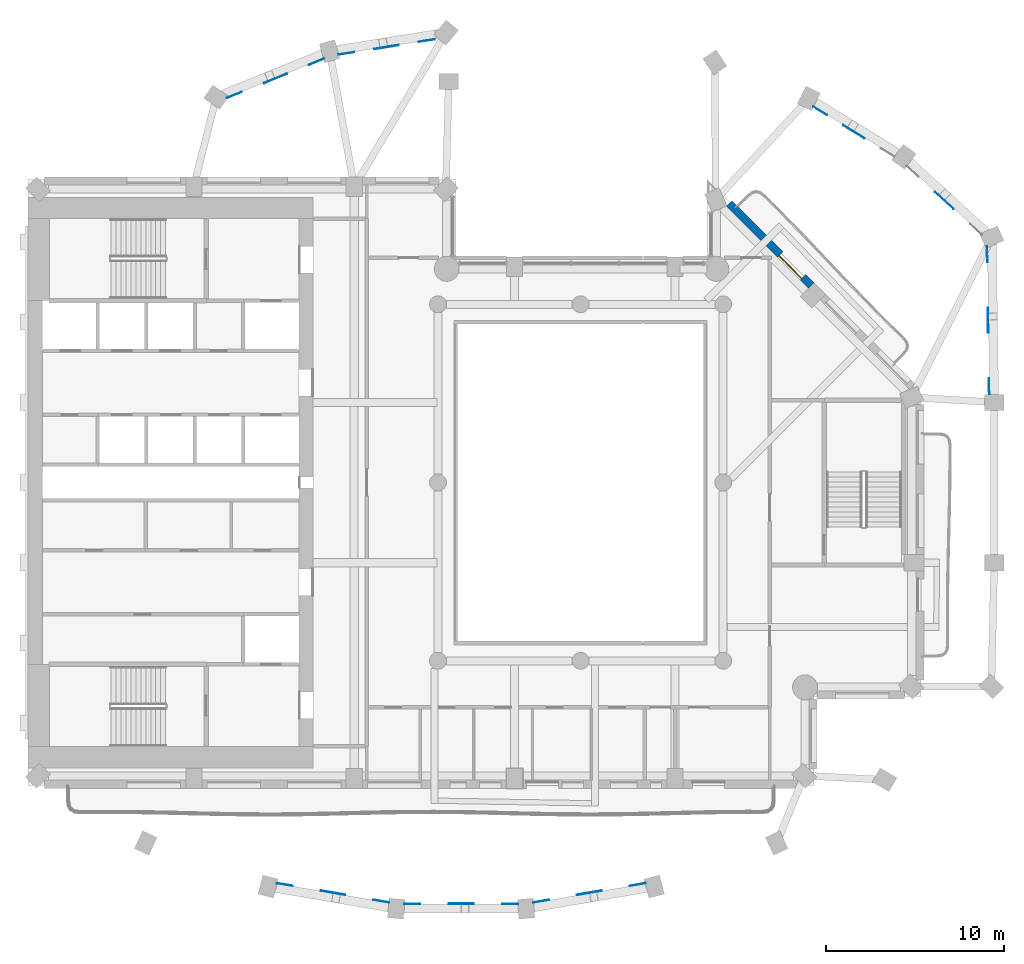
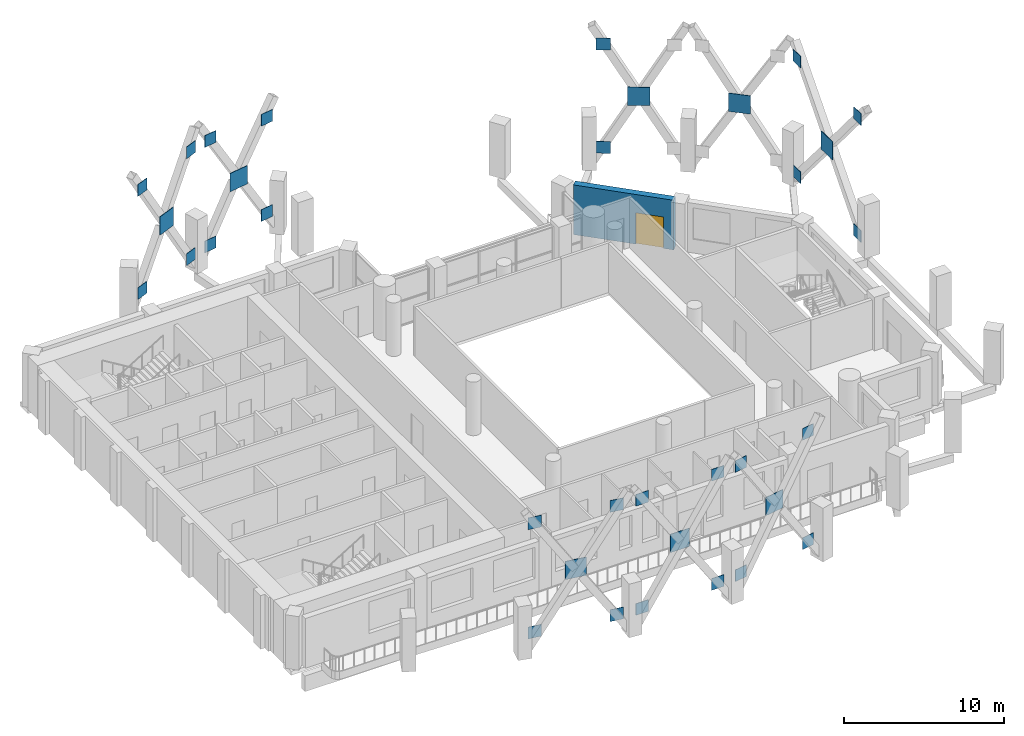
# One storey, part 7 of 15: 34 discrete accessories, 1 door, 1 wall, 1 opening.
"""IFC4 building model written with IfcOpenShell, lengths in metres."""

from ifc_helpers import new_model, si_unit, direction, frame, frame_2d, origin, origin_2d, place, context, subcontext, project, spatial, rectangle, extrude, material, layer, layer_set, material_profile, profile_set, type_object, element, fill, save


model = new_model("IFC4")

# Units and contexts
model_context = context("Model", 3, precision=1e-05, world=origin(), true_north=direction((0.0, 1.0)))
body_context = subcontext(model_context, "Body", "Model", "MODEL_VIEW")
ifc_project = project(units=[si_unit("LENGTHUNIT", "METRE"), si_unit("AREAUNIT", "SQUARE_METRE"), si_unit("VOLUMEUNIT", "CUBIC_METRE"), si_unit("PLANEANGLEUNIT", "RADIAN"), si_unit("MASSUNIT", "GRAM", prefix="KILO")], contexts=[model_context])

# Site, building, storey
site_placement = place(None, origin())
site = spatial("IfcSite", under=ifc_project, at=site_placement, CompositionType="ELEMENT")
building_placement = place(site_placement, origin())
building = spatial("IfcBuilding", under=site, at=building_placement, Name="Cypress Arch Tower", CompositionType="ELEMENT")
storey_placement = place(building_placement, frame((0.0, 0.0, 205.60009765625)))
storey = spatial("IfcBuildingStorey", under=building, at=storey_placement, Name="L45", CompositionType="ELEMENT", Elevation=205.60009765625)

# Wall, opening, door
ifc_material_1 = material(Name="Brick (red buff blend)", Category="masonry")
ifc_layer = layer(ifc_material_1, 0.449951171875)
ifc_layer_set = layer_set([ifc_layer], Name="Brick pier and spandrel wall BW450")
wall_type = type_object("IfcWallType", Name="Brick pier and spandrel wall BW450", PredefinedType="SOLIDWALL", material=ifc_layer_set)
wall_placement = place(storey_placement, frame((13.94091796875, 11.052978515625, 0.0), z_axis=(0.0, 0.0, 1.0), x_axis=(-0.707106781187, 0.707106781187, 0.0)))
wall = element("IfcWall", 1, at=wall_placement, inside=storey, type_object=wall_type, Name="Brick wall L45 B05.1", PredefinedType="SOLIDWALL", context=body_context, shape_type="SweptSolid", body=[
    extrude(rectangle(XDim=6.505126953125, YDim=0.449951171875, at=frame_2d((3.25244140625, 0.0))), origin(), (0.0, 0.0, 1.0), 3.7998046875),
])
opening_placement = place(wall_placement, frame((0.665283203125, 0.0, 0.0)))
opening = element("IfcOpeningElement", 2, at=opening_placement, cuts=wall, Name="Opening D-L45-B05.1.1", PredefinedType="OPENING", context=body_context, shape_type="SweptSolid", body=[
    extrude(rectangle(XDim=1.800048828125, YDim=2.39990234375, at=frame_2d((0.89990234375, 1.199951171875))), frame((0.0, 0.23486328125, 0.0), z_axis=(0.0, -1.0, 0.0), x_axis=(1.0, 0.0, 0.0)), (0.0, 0.0, 1.0), 0.469970703125),
])
ifc_material_2 = material(Name="Anodised aluminium, bronze finish, laminated low-emissivity double glazing, large-missile impact rated", Category="aluminium")
door_type = type_object("IfcDoorType", Name="Balcony sliding door 1800x2400", OperationType="SLIDING_TO_LEFT", PredefinedType="DOOR", material=ifc_material_2)
door_placement = place(opening_placement, origin())
door = element("IfcDoor", 3, at=door_placement, inside=storey, type_object=door_type, Name="Balcony door L45 B05.1.1", OperationType="SLIDING_TO_LEFT", OverallHeight=2.39990234375, OverallWidth=1.800048828125, PredefinedType="DOOR", context=body_context, shape_type="SweptSolid", body=[
    extrude(rectangle(XDim=1.800048828125, YDim=2.39990234375, at=frame_2d((0.89990234375, 1.199951171875))), frame((0.0, 0.1298828125, 0.0), z_axis=(0.0, -1.0, 0.0), x_axis=(1.0, 0.0, 0.0)), (0.0, 0.0, 1.0), 0.050048828125),
])
fill(opening, door)

# Discrete accessories
ifc_material_3 = material(Name="Steel ASTM A992", Category="steel")
ifc_material_profile_1 = material_profile(ifc_material_3, rectangle(XDim=0.89990234375, YDim=0.89990234375, at=origin_2d()), Name="PL 30 900x900")
ifc_profile_set_1 = profile_set([ifc_material_profile_1], Name="Steel ASTM A992")
discrete_accessory_type_1 = type_object("IfcDiscreteAccessoryType", Name="Gusset plate 900x900x30 Steel ASTM A992", PredefinedType="ANCHORPLATE", material=ifc_profile_set_1)
discrete_accessory_1_placement = place(storey_placement, frame((-7.630859375, 24.806396484375, 1.907470703125), z_axis=(0.15512400912, -0.987895005451, 0.0), x_axis=(0.987895005451, 0.15512400912, 0.0)))
element("IfcDiscreteAccessory", 4, at=discrete_accessory_1_placement, inside=storey, type_object=discrete_accessory_type_1, Name="Gusset plate L45 CQ02-CQ03u0", PredefinedType="ANCHORPLATE", context=body_context, shape_type="SweptSolid", body=[
    extrude(rectangle(XDim=0.89990234375, YDim=0.89990234375, at=origin_2d()), origin(), (0.0, 0.0, 1.0), 0.02978515625),
])
discrete_accessory_2_placement = place(storey_placement, frame((-12.149658203125, 24.0849609375, 9.5849609375), z_axis=(0.153882731479, -0.98808911792, 0.0), x_axis=(0.98808911792, 0.153882731479, 0.0)))
element("IfcDiscreteAccessory", 5, at=discrete_accessory_2_placement, inside=storey, type_object=discrete_accessory_type_1, Name="Gusset plate L45 CQ02-CQ03u1", PredefinedType="ANCHORPLATE", context=body_context, shape_type="SweptSolid", body=[
    extrude(rectangle(XDim=0.89990234375, YDim=0.89990234375, at=origin_2d()), origin(), (0.0, 0.0, 1.0), 0.030029296875),
])
discrete_accessory_3_placement = place(storey_placement, frame((-7.630859375, 24.806396484375, 9.1923828125), z_axis=(0.15512400912, -0.987895005451, 0.0), x_axis=(0.987895005451, 0.15512400912, 0.0)))
element("IfcDiscreteAccessory", 6, at=discrete_accessory_3_placement, inside=storey, type_object=discrete_accessory_type_1, Name="Gusset plate L45 CQ02-CQ03d0", PredefinedType="ANCHORPLATE", context=body_context, shape_type="SweptSolid", body=[
    extrude(rectangle(XDim=0.89990234375, YDim=0.89990234375, at=origin_2d()), origin(), (0.0, 0.0, 1.0), 0.02978515625),
])
for number, where, z_axis, x_axis, name in (
    (7, (-12.149658203125, 24.0849609375, 1.5146484375), (0.153882731479, -0.98808911792, 0.0), (0.98808911792, 0.153882731479, 0.0), "Gusset plate L45 CQ02-CQ03d1"),
    (8, (-13.822998046875, 23.618896484375, 1.46044921875), (0.381157654408, -0.924510055373, 0.0), (0.924510055373, 0.381157654408, 0.0), "Gusset plate L45 CQ03-CQ04u0"),
    (9, (-18.429443359375, 21.7529296875, 9.499267578125), (0.374194034192, -0.927350432563, 0.0), (0.927350432563, 0.374194034192, 0.0), "Gusset plate L45 CQ03-CQ04u1"),
    (10, (-13.822998046875, 23.618896484375, 9.639404296875), (0.381157654408, -0.924510055373, 0.0), (0.924510055373, 0.381157654408, 0.0), "Gusset plate L45 CQ03-CQ04d0"),
    (11, (-18.429443359375, 21.7529296875, 1.6005859375), (0.374194034192, -0.927350432563, 0.0), (0.927350432563, 0.374194034192, 0.0), "Gusset plate L45 CQ03-CQ04d1"),
    (12, (-15.59716796875, -22.56884765625, 1.372314453125), (0.163076596924, 0.986613411391, 0.0), (-0.986613411391, 0.163076596924, 0.0), "Gusset plate L45 CQ06-CQ07u0"),
    (13, (-10.188232421875, -23.500244140625, 9.727294921875), (0.170997525788, 0.985271458114, 0.0), (-0.985271458114, 0.170997525788, 0.0), "Gusset plate L45 CQ06-CQ07u1"),
    (14, (-15.59716796875, -22.56884765625, 9.727294921875), (0.163076596924, 0.986613411391, 0.0), (-0.986613411391, 0.163076596924, 0.0), "Gusset plate L45 CQ06-CQ07d0"),
    (15, (-10.188232421875, -23.500244140625, 1.372314453125), (0.170997525788, 0.985271458114, 0.0), (-0.985271458114, 0.170997525788, 0.0), "Gusset plate L45 CQ06-CQ07d1"),
    (16, (-8.441162109375, -23.649658203125, 1.37353515625), (0.0, 1.0, 0.0), (-1.0, 0.0, 0.0), "Gusset plate L45 CQ07-CQ08u0"),
    (17, (-2.958984375, -23.649658203125, 9.72607421875), (0.0, 1.0, 0.0), (-1.0, 0.0, 0.0), "Gusset plate L45 CQ07-CQ08u1"),
    (18, (-8.441162109375, -23.649658203125, 9.72607421875), (0.0, 1.0, 0.0), (-1.0, 0.0, 0.0), "Gusset plate L45 CQ07-CQ08d0"),
    (19, (-2.958984375, -23.649658203125, 1.37353515625), (0.0, 1.0, 0.0), (-1.0, 0.0, 0.0), "Gusset plate L45 CQ07-CQ08d1"),
    (20, (-1.2119140625, -23.500244140625, 1.372314453125), (-0.170997525788, 0.985271458114, 0.0), (-0.985271458114, -0.170997525788, 0.0), "Gusset plate L45 CQ08-CQ09u0"),
    (21, (4.197265625, -22.56884765625, 9.727294921875), (-0.170997525788, 0.985271458114, 0.0), (-0.985271458114, -0.170997525788, 0.0), "Gusset plate L45 CQ08-CQ09u1"),
    (22, (-1.2119140625, -23.500244140625, 9.727294921875), (-0.170997525788, 0.985271458114, 0.0), (-0.985271458114, -0.170997525788, 0.0), "Gusset plate L45 CQ08-CQ09d0"),
    (23, (4.197265625, -22.56884765625, 1.372314453125), (-0.170997525788, 0.985271458114, 0.0), (-0.985271458114, -0.170997525788, 0.0), "Gusset plate L45 CQ08-CQ09d1"),
    (24, (23.932861328125, 5.396240234375, 1.078857421875), (-0.999867829764, -0.016258013492, 0.0), (0.016258013492, -0.999867829764, 0.0), "Gusset plate L45 CQ14-CQ15u0"),
    (25, (23.82373046875, 12.8154296875, 9.972900390625), (-0.999867829764, -0.016258013492, 0.0), (0.016258013492, -0.999867829764, 0.0), "Gusset plate L45 CQ14-CQ15u1"),
    (26, (23.932861328125, 5.396240234375, 10.02099609375), (-0.999867829764, -0.016258013492, 0.0), (0.016258013492, -0.999867829764, 0.0), "Gusset plate L45 CQ14-CQ15d0"),
    (27, (23.82373046875, 12.8154296875, 1.126708984375), (-0.999867829764, -0.016258013492, 0.0), (0.016258013492, -0.999867829764, 0.0), "Gusset plate L45 CQ14-CQ15d1"),
):
    element("IfcDiscreteAccessory", number, at=place(storey_placement, frame(where, z_axis=z_axis, x_axis=x_axis)), inside=storey, type_object=discrete_accessory_type_1, Name=name, PredefinedType="ANCHORPLATE", context=body_context, shape_type="SweptSolid", body=[
        extrude(rectangle(XDim=0.89990234375, YDim=0.89990234375, at=origin_2d()), origin(), (0.0, 0.0, 1.0), 0.030029296875),
    ])
for number, where, z_axis, x_axis, name in (
    (28, (14.43798828125, 20.8603515625, 9.502197265625), (-0.524097425664, -0.851658316705, 0.0), (0.851658316705, -0.524097425664, 0.0), "Gusset plate L45 CQ16-CQ17u1"),
    (29, (14.43798828125, 20.8603515625, 1.59765625), (-0.524097425664, -0.851658316705, 0.0), (0.851658316705, -0.524097425664, 0.0), "Gusset plate L45 CQ16-CQ17d1"),
):
    element("IfcDiscreteAccessory", number, at=place(storey_placement, frame(where, z_axis=z_axis, x_axis=x_axis)), inside=storey, type_object=discrete_accessory_type_1, Name=name, PredefinedType="ANCHORPLATE", context=body_context, shape_type="SweptSolid", body=[
        extrude(rectangle(XDim=0.89990234375, YDim=0.89990234375, at=origin_2d()), origin(), (0.0, 0.0, 1.0), 0.02978515625),
    ])
ifc_material_4 = material(Name="Steel ASTM A992", Category="steel")
ifc_material_profile_2 = material_profile(ifc_material_4, rectangle(XDim=1.39990234375, YDim=1.39990234375, at=origin_2d()), Name="PL 40 1400x1400")
ifc_profile_set_2 = profile_set([ifc_material_profile_2], Name="Steel ASTM A992")
discrete_accessory_type_2 = type_object("IfcDiscreteAccessoryType", Name="Node plate 1400x1400x40 Steel ASTM A992", PredefinedType="ANCHORPLATE", material=ifc_profile_set_2)
discrete_accessory_4_placement = place(storey_placement, frame((-9.890380859375, 24.445556640625, 5.5498046875), z_axis=(0.159425218663, -0.987210007878, 0.0), x_axis=(0.987210007878, 0.159425218663, 0.0)))
element("IfcDiscreteAccessory", 30, at=discrete_accessory_4_placement, inside=storey, type_object=discrete_accessory_type_2, Name="Node plate L45 CQ02-CQ03", PredefinedType="ANCHORPLATE", context=body_context, shape_type="SweptSolid", body=[
    extrude(rectangle(XDim=1.39990234375, YDim=1.39990234375, at=origin_2d()), origin(), (0.0, 0.0, 1.0), 0.039794921875),
])
for number, where, z_axis, x_axis, name in (
    (31, (-16.126220703125, 22.68603515625, 5.5498046875), (0.377683854905, -0.925934612024, 0.0), (0.925934612024, 0.377683854905, 0.0), "Node plate L45 CQ03-CQ04"),
    (32, (-12.892822265625, -23.03466796875, 5.5498046875), (0.170314285219, 0.985389793052, 0.0), (-0.985389793052, 0.170314285219, 0.0), "Node plate L45 CQ06-CQ07"),
    (33, (-5.699951171875, -23.649658203125, 5.5498046875), (0.0, 1.0, 0.0), (-1.0, 0.0, 0.0), "Node plate L45 CQ07-CQ08"),
    (34, (1.49267578125, -23.03466796875, 5.5498046875), (-0.170314285219, 0.985389793052, 0.0), (-0.985389793052, -0.170314285219, 0.0), "Node plate L45 CQ08-CQ09"),
):
    element("IfcDiscreteAccessory", number, at=place(storey_placement, frame(where, z_axis=z_axis, x_axis=x_axis)), inside=storey, type_object=discrete_accessory_type_2, Name=name, PredefinedType="ANCHORPLATE", context=body_context, shape_type="SweptSolid", body=[
        extrude(rectangle(XDim=1.39990234375, YDim=1.39990234375, at=origin_2d()), origin(), (0.0, 0.0, 1.0), 0.0400390625),
    ])
discrete_accessory_5_placement = place(storey_placement, frame((23.878173828125, 9.105712890625, 5.5498046875), z_axis=(-0.999924732801, -0.012269015126, 0.0), x_axis=(0.012269015126, -0.999924732801, 0.0)))
element("IfcDiscreteAccessory", 35, at=discrete_accessory_5_placement, inside=storey, type_object=discrete_accessory_type_2, Name="Node plate L45 CQ14-CQ15", PredefinedType="ANCHORPLATE", context=body_context, shape_type="SweptSolid", body=[
    extrude(rectangle(XDim=1.39990234375, YDim=1.39990234375, at=origin_2d()), origin(), (0.0, 0.0, 1.0), 0.039794921875),
])
for number, where, z_axis, x_axis, name in (
    (36, (21.415771484375, 15.8388671875, 5.5498046875), (-0.676000359041, -0.736901292288, 0.0), (0.736901292288, -0.676000359041, 0.0), "Node plate L45 CQ15-CQ16"),
    (37, (16.337646484375, 19.692138671875, 5.5498046875), (-0.523418105875, -0.852075986308, 0.0), (0.852075986308, -0.523418105875, 0.0), "Node plate L45 CQ16-CQ17"),
):
    element("IfcDiscreteAccessory", number, at=place(storey_placement, frame(where, z_axis=z_axis, x_axis=x_axis)), inside=storey, type_object=discrete_accessory_type_2, Name=name, PredefinedType="ANCHORPLATE", context=body_context, shape_type="SweptSolid", body=[
        extrude(rectangle(XDim=1.39990234375, YDim=1.39990234375, at=origin_2d()), origin(), (0.0, 0.0, 1.0), 0.0400390625),
    ])

save(model, "model.ifc")
